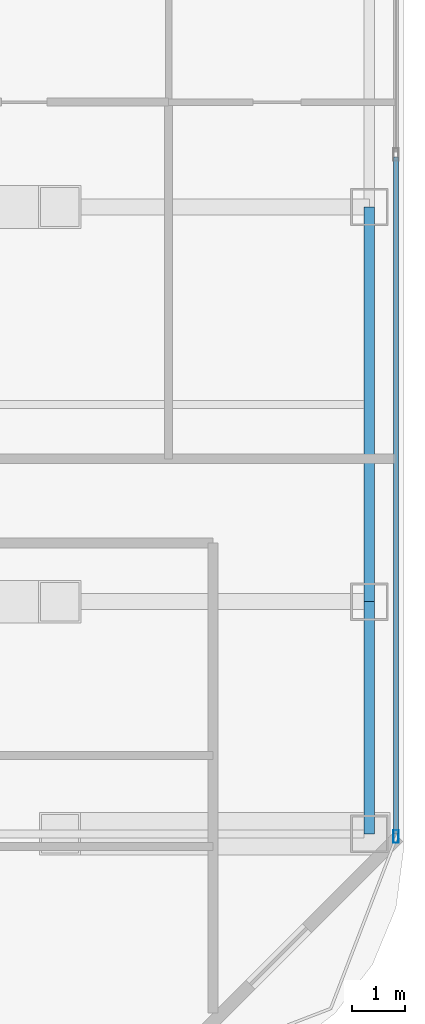
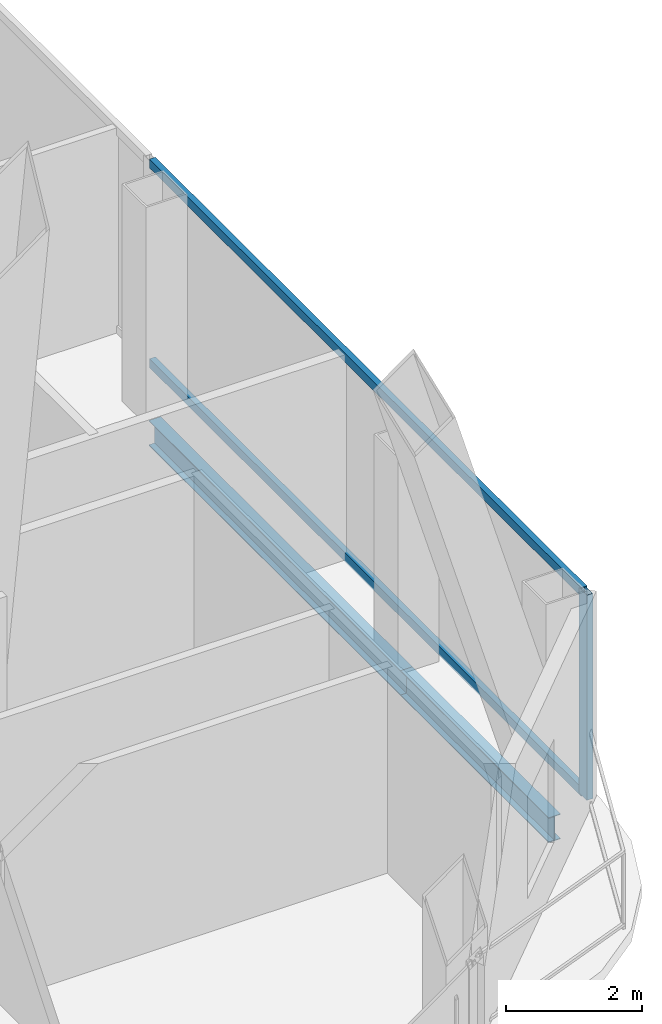
# One storey, part 11 of 32: 3 members, 2 beams, 1 element without a shape of its own.
"""IFC4 building model written with IfcOpenShell, lengths in metres."""

from ifc_helpers import new_model, si_unit, direction, frame, origin, origin_2d, place, context, subcontext, project, spatial, hollow_rectangle, i_section, extrude, material, layer, layer_set, material_profile, profile_set, type_object, element, aggregate, save


model = new_model("IFC4")

# Units and contexts
model_context = context("Model", 3, precision=1e-05, world=origin(), true_north=direction((0.0, 1.0)))
body_context = subcontext(model_context, "Body", "Model", "MODEL_VIEW")
ifc_project = project(units=[si_unit("LENGTHUNIT", "METRE"), si_unit("AREAUNIT", "SQUARE_METRE"), si_unit("VOLUMEUNIT", "CUBIC_METRE"), si_unit("PLANEANGLEUNIT", "RADIAN"), si_unit("MASSUNIT", "GRAM", prefix="KILO")], contexts=[model_context])

# Site, building, storey
site_placement = place(None, origin())
site = spatial("IfcSite", under=ifc_project, at=site_placement, CompositionType="ELEMENT")
building_placement = place(site_placement, origin())
building = spatial("IfcBuilding", under=site, at=building_placement, Name="Khorvyn Point Tower", CompositionType="ELEMENT")
storey_placement = place(building_placement, frame((0.0, 0.0, 148.5)))
storey = spatial("IfcBuildingStorey", under=building, at=storey_placement, Name="L37", CompositionType="ELEMENT", Elevation=148.5)

# Curtain wall, members
ifc_material_1 = material(Name="Anodised aluminium 6063-T6 and laminated Low-E glass", Category="aluminium")
ifc_layer = layer(ifc_material_1, 0.18994140625)
ifc_layer_set = layer_set([ifc_layer], Name="Stick-Built Acoustic Curtain Wall CW-SYS-03")
curtain_wall_type = type_object("IfcCurtainWallType", Name="Stick-Built Acoustic Curtain Wall CW-SYS-03", PredefinedType="NOTDEFINED", material=ifc_layer_set)
curtain_wall_placement = place(storey_placement, origin())
curtain_wall = element("IfcCurtainWall", 1, at=curtain_wall_placement, inside=storey, type_object=curtain_wall_type, Name="Curtain Wall", PredefinedType="NOTDEFINED")
ifc_material_2 = material(Name="Anodised aluminium 6063-T6", Category="aluminium")
ifc_material_profile_1 = material_profile(ifc_material_2, hollow_rectangle(XDim=0.10009765625, YDim=0.239990234375, WallThickness=0.0048828125, at=origin_2d()))
ifc_profile_set_1 = profile_set([ifc_material_profile_1], Name="Anodised aluminium 6063-T6 ALU-MUL-100x240")
member_type_1 = type_object("IfcMemberType", Name="Anodised Aluminium 6063-T6 Mullion ALU-MUL-100x240", PredefinedType="MULLION", material=ifc_profile_set_1)
member_1_placement = place(storey_placement, frame((27.550048828125, -19.199951171875, 0.0), z_axis=(0.0, 0.0, 1.0), x_axis=(1.0, 0.0, 0.0)))
member_1 = element("IfcMember", 2, at=member_1_placement, type_object=member_type_1, Name="Transom", PredefinedType="MULLION", context=body_context, shape_type="SweptSolid", body=[
    extrude(hollow_rectangle(XDim=0.10009765625, YDim=0.239990234375, WallThickness=0.0048828125, at=origin_2d()), origin(), (0.0, 0.0, 1.0), 3.679931640625),
])
ifc_material_profile_2 = material_profile(ifc_material_2, hollow_rectangle(XDim=0.10009765625, YDim=0.159912109375, WallThickness=0.00439453125, at=origin_2d()))
ifc_profile_set_2 = profile_set([ifc_material_profile_2], Name="Anodised aluminium 6063-T6 ALU-TRN-100x160")
member_type_2 = type_object("IfcMemberType", Name="Anodised Aluminium 6063-T6 Transom ALU-TRN-100x160", PredefinedType="USERDEFINED", material=ifc_profile_set_2)
member_2_placement = place(storey_placement, frame((27.550048828125, -6.466552734375, 0.050048828125), z_axis=(0.0, -1.0, 0.0), x_axis=(1.0, 0.0, 0.0)))
member_2 = element("IfcMember", 3, at=member_2_placement, type_object=member_type_2, Name="Transom", ObjectType="TRANSOM", PredefinedType="USERDEFINED", context=body_context, shape_type="SweptSolid", body=[
    extrude(hollow_rectangle(XDim=0.10009765625, YDim=0.159912109375, WallThickness=0.00439453125, at=origin_2d()), origin(), (0.0, 0.0, 1.0), 12.683349609375),
])
member_3_placement = place(storey_placement, frame((27.550048828125, -6.466552734375, 3.6298828125), z_axis=(0.0, -1.0, 0.0), x_axis=(1.0, 0.0, 0.0)))
member_3 = element("IfcMember", 4, at=member_3_placement, type_object=member_type_2, Name="Transom", ObjectType="TRANSOM", PredefinedType="USERDEFINED", context=body_context, shape_type="SweptSolid", body=[
    extrude(hollow_rectangle(XDim=0.10009765625, YDim=0.159912109375, WallThickness=0.00439453125, at=origin_2d()), origin(), (0.0, 0.0, 1.0), 12.683349609375),
])
aggregate(curtain_wall, [member_1, member_2, member_3])

# Beams
ifc_material_3 = material(Name="Steel S355", Category="steel")
ifc_material_profile_3 = material_profile(ifc_material_3, i_section(OverallWidth=0.199951171875, OverallDepth=0.449951171875, WebThickness=0.009033203125, FlangeThickness=0.013916015625, at=origin_2d()))
ifc_profile_set_3 = profile_set([ifc_material_profile_3], Name="Steel S355 H450x200x9x14")
beam_type = type_object("IfcBeamType", Name="Steel S355 Spandrel H450x200x9x14", PredefinedType="SPANDREL", material=ifc_profile_set_3)
beam_1_placement = place(storey_placement, frame((27.050048828125, -19.14990234375, -0.445068359375), z_axis=(0.0, 1.0, 0.0), x_axis=(-1.0, 0.0, 0.0)))
element("IfcBeam", 5, at=beam_1_placement, inside=storey, type_object=beam_type, Name="Beam", PredefinedType="SPANDREL", context=body_context, shape_type="SweptSolid", body=[
    extrude(i_section(OverallWidth=0.199951171875, OverallDepth=0.449951171875, WebThickness=0.009033203125, FlangeThickness=0.013916015625, at=origin_2d()), origin(), (0.0, 0.0, 1.0), 4.349853515625),
])
beam_2_placement = place(storey_placement, frame((27.050048828125, -14.800048828125, -0.445068359375), z_axis=(0.0, 1.0, 0.0), x_axis=(-1.0, 0.0, 0.0)))
element("IfcBeam", 6, at=beam_2_placement, inside=storey, type_object=beam_type, Name="Beam", PredefinedType="SPANDREL", context=body_context, shape_type="SweptSolid", body=[
    extrude(i_section(OverallWidth=0.199951171875, OverallDepth=0.449951171875, WebThickness=0.009033203125, FlangeThickness=0.013916015625, at=origin_2d()), origin(), (0.0, 0.0, 1.0), 7.400146484375),
])

save(model, "model.ifc")
